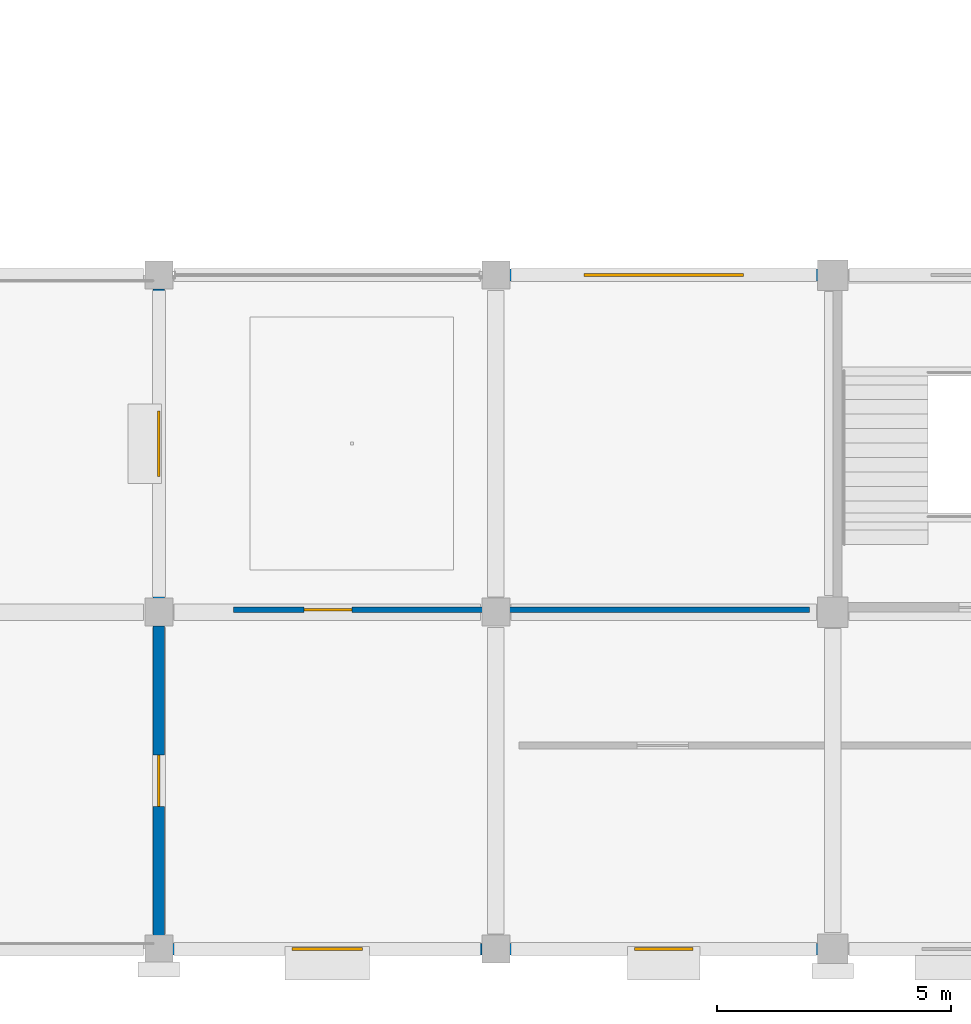
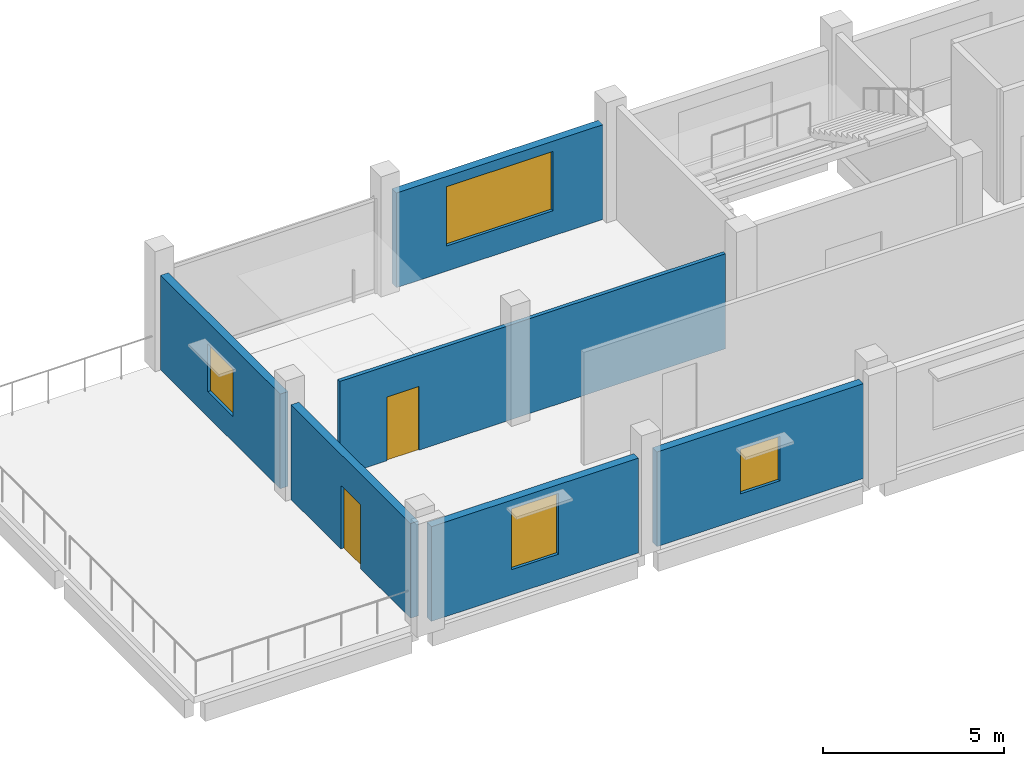
# One storey, part 68 of 91: 6 walls, 4 windows, 2 doors, 6 openings.
"""IFC4 building model written with IfcOpenShell, lengths in metres."""

from ifc_helpers import new_model, si_unit, direction, frame, frame_2d, origin, place, context, subcontext, project, spatial, rectangle, extrude, material, layer, layer_set, type_object, element, fill, save


model = new_model("IFC4")

# Units and contexts
model_context = context("Model", 3, precision=1e-05, world=origin(), true_north=direction((0.0, 1.0)))
body_context = subcontext(model_context, "Body", "Model", "MODEL_VIEW")
ifc_project = project(units=[si_unit("LENGTHUNIT", "METRE"), si_unit("AREAUNIT", "SQUARE_METRE"), si_unit("VOLUMEUNIT", "CUBIC_METRE"), si_unit("PLANEANGLEUNIT", "RADIAN"), si_unit("MASSUNIT", "GRAM", prefix="KILO")], contexts=[model_context])

# Site, building, storey
site_placement = place(None, origin())
site = spatial("IfcSite", under=ifc_project, at=site_placement, CompositionType="ELEMENT")
building_placement = place(site_placement, origin())
building = spatial("IfcBuilding", under=site, at=building_placement, Name="Kangsadwip Square Police Headquarters", CompositionType="ELEMENT")
storey_placement = place(building_placement, frame((0.0, 0.0, 13.5)))
storey = spatial("IfcBuildingStorey", under=building, at=storey_placement, Name="L03", CompositionType="ELEMENT", Elevation=13.5)

# Wall, opening, door
ifc_material_1 = material(Name="Fire-rated double gypsum board acoustic stud partition", Category="masonry")
ifc_layer_1 = layer(ifc_material_1, 0.1201171875)
ifc_layer_set_1 = layer_set([ifc_layer_1], Name="Fire-rated double gypsum board acoustic stud partition")
wall_type_1 = type_object("IfcWallType", Name="AcousticPartition120", PredefinedType="PARTITIONING", material=ifc_layer_set_1)
wall_1_placement = place(storey_placement, frame((116.800048828125, 28.85009765625, 0.0), z_axis=(0.0, 0.0, 1.0), x_axis=(1.0, 0.0, 0.0)))
wall_1 = element("IfcWall", 1, at=wall_1_placement, inside=storey, type_object=wall_type_1, Name="Interior Wall WI-L03-0828", PredefinedType="PARTITIONING", context=body_context, shape_type="SweptSolid", body=[
    extrude(rectangle(XDim=12.300048828125, YDim=0.1201171875, at=frame_2d((6.14990234375, 0.0))), origin(), (0.0, 0.0, 1.0), 3.199951171875),
])
opening_1_placement = place(wall_1_placement, frame((1.5029296875, 0.0, 0.0)))
opening_1 = element("IfcOpeningElement", 2, at=opening_1_placement, cuts=wall_1, Name="Opening FD-10C", PredefinedType="OPENING", context=body_context, shape_type="SweptSolid", body=[
    extrude(rectangle(XDim=1.02001953125, YDim=2.14990234375, at=frame_2d((0.510009765625, 1.074951171875))), frame((0.0, 0.070068359375, 0.0), z_axis=(0.0, -1.0, 0.0), x_axis=(1.0, 0.0, 0.0)), (0.0, 0.0, 1.0), 0.14013671875),
])
ifc_material_2 = material(Name="Insulated galvanized steel fire-rated door assembly", Category="steel")
door_type_1 = type_object("IfcDoorType", Name="LabSingleDoor1020x2150", OperationType="NOTDEFINED", PredefinedType="DOOR", material=ifc_material_2)
door_1_placement = place(opening_1_placement, origin())
door_1 = element("IfcDoor", 3, at=door_1_placement, inside=storey, type_object=door_type_1, Name="Interior Door ID-L03-0219", OperationType="SINGLE_SWING_RIGHT", OverallHeight=2.14990234375, OverallWidth=1.02001953125, PredefinedType="DOOR", context=body_context, shape_type="SweptSolid", body=[
    extrude(rectangle(XDim=1.02001953125, YDim=2.14990234375, at=frame_2d((0.510009765625, 1.074951171875))), frame((0.0, 0.02490234375, 0.0), z_axis=(0.0, -1.0, 0.0), x_axis=(1.0, 0.0, 0.0)), (0.0, 0.0, 1.0), 0.050048828125),
])
fill(opening_1, door_1)

# Wall, opening, window
ifc_material_3 = material(Name="Glazed architectural terracotta masonry rainscreen", Category="masonry")
ifc_layer_2 = layer(ifc_material_3, 0.25)
ifc_layer_set_2 = layer_set([ifc_layer_2], Name="Glazed architectural terracotta masonry rainscreen")
wall_type_2 = type_object("IfcWallType", Name="ChicagoTerracottaWall250", PredefinedType="SOLIDWALL", material=ifc_layer_set_2)
wall_2_placement = place(storey_placement, frame((115.4951171875, 21.60009765625, 0.0), z_axis=(0.0, 0.0, 1.0), x_axis=(1.0, 0.0, 0.0)))
wall_2 = element("IfcWall", 4, at=wall_2_placement, inside=storey, type_object=wall_type_2, Name="Exterior Wall WE-L03-362", PredefinedType="SOLIDWALL", context=body_context, shape_type="SweptSolid", body=[
    extrude(rectangle(XDim=6.60986328125, YDim=0.25, at=frame_2d((3.304931640625, 0.0))), origin(), (0.0, 0.0, 1.0), 3.195068359375),
])
opening_2_placement = place(wall_2_placement, frame((2.554931640625, 0.0, 0.85009765625)))
opening_2 = element("IfcOpeningElement", 5, at=opening_2_placement, cuts=wall_2, Name="Opening WN-12", PredefinedType="OPENING", context=body_context, shape_type="SweptSolid", body=[
    extrude(rectangle(XDim=1.5, YDim=2.050048828125, at=frame_2d((0.75, 1.02490234375))), frame((0.0, 0.135009765625, 0.0), z_axis=(0.0, -1.0, 0.0), x_axis=(1.0, 0.0, 0.0)), (0.0, 0.0, 1.0), 0.27001953125),
])
ifc_material_4 = material(Name="Double-glazed solar-control low-E safety glass", Category="glass")
window_type_1 = type_object("IfcWindowType", Name="DirectorateTallWin1500x2050", PartitioningType="SINGLE_PANEL", PredefinedType="WINDOW", material=ifc_material_4)
window_1_placement = place(opening_2_placement, origin())
window_1 = element("IfcWindow", 6, at=window_1_placement, inside=storey, type_object=window_type_1, Name="Window WN-L03-0215", OverallHeight=2.050048828125, OverallWidth=1.5, PartitioningType="SINGLE_PANEL", PredefinedType="WINDOW", context=body_context, shape_type="SweptSolid", body=[
    extrude(rectangle(XDim=1.5, YDim=2.050048828125, at=frame_2d((0.75, 1.02490234375))), frame((0.0, 0.030029296875, 0.0), z_axis=(0.0, -1.0, 0.0), x_axis=(1.0, 0.0, 0.0)), (0.0, 0.0, 1.0), 0.06005859375),
])
fill(opening_2, window_1)

wall_3_placement = place(storey_placement, frame((122.695068359375, 21.60009765625, 0.0), z_axis=(0.0, 0.0, 1.0), x_axis=(1.0, 0.0, 0.0)))
wall_3 = element("IfcWall", 7, at=wall_3_placement, inside=storey, type_object=wall_type_2, Name="Exterior Wall WE-L03-363", PredefinedType="SOLIDWALL", context=body_context, shape_type="SweptSolid", body=[
    extrude(rectangle(XDim=6.5849609375, YDim=0.25, at=frame_2d((3.29248046875, 0.0))), origin(), (0.0, 0.0, 1.0), 3.195068359375),
])
opening_3_placement = place(wall_3_placement, frame((2.66748046875, 0.0, 0.85009765625)))
opening_3 = element("IfcOpeningElement", 8, at=opening_3_placement, cuts=wall_3, Name="Opening WN-14", PredefinedType="OPENING", context=body_context, shape_type="SweptSolid", body=[
    extrude(rectangle(XDim=1.25, YDim=1.5, at=frame_2d((0.625, 0.75))), frame((0.0, 0.135009765625, 0.0), z_axis=(0.0, -1.0, 0.0), x_axis=(1.0, 0.0, 0.0)), (0.0, 0.0, 1.0), 0.27001953125),
])
ifc_material_5 = material(Name="Double-glazed solar-control low-E safety glass", Category="glass")
window_type_2 = type_object("IfcWindowType", Name="OfficeCasementWin1250x1500", PartitioningType="SINGLE_PANEL", PredefinedType="WINDOW", material=ifc_material_5)
window_2_placement = place(opening_3_placement, origin())
window_2 = element("IfcWindow", 9, at=window_2_placement, inside=storey, type_object=window_type_2, Name="Window WN-L03-0216", OverallHeight=1.5, OverallWidth=1.25, PartitioningType="SINGLE_PANEL", PredefinedType="WINDOW", context=body_context, shape_type="SweptSolid", body=[
    extrude(rectangle(XDim=1.25, YDim=1.5, at=frame_2d((0.625, 0.75))), frame((0.0, 0.030029296875, 0.0), z_axis=(0.0, -1.0, 0.0), x_axis=(1.0, 0.0, 0.0)), (0.0, 0.0, 1.0), 0.06005859375),
])
fill(opening_3, window_2)

wall_4_placement = place(storey_placement, frame((122.695068359375, 36.0, 0.0), z_axis=(0.0, 0.0, 1.0), x_axis=(1.0, 0.0, 0.0)))
wall_4 = element("IfcWall", 10, at=wall_4_placement, inside=storey, type_object=wall_type_2, Name="Exterior Wall WE-L03-372", PredefinedType="SOLIDWALL", context=body_context, shape_type="SweptSolid", body=[
    extrude(rectangle(XDim=6.5849609375, YDim=0.25, at=frame_2d((3.29248046875, 0.0))), origin(), (0.0, 0.0, 1.0), 3.195068359375),
])
opening_4_placement = place(wall_4_placement, frame((1.592529296875, 0.0, 0.85009765625)))
opening_4 = element("IfcOpeningElement", 11, at=opening_4_placement, cuts=wall_4, Name="Opening WN-02", PredefinedType="OPENING", context=body_context, shape_type="SweptSolid", body=[
    extrude(rectangle(XDim=3.39990234375, YDim=2.0, at=frame_2d((1.699951171875, 1.0))), frame((0.0, 0.135009765625, 0.0), z_axis=(0.0, -1.0, 0.0), x_axis=(1.0, 0.0, 0.0)), (0.0, 0.0, 1.0), 0.27001953125),
])
ifc_material_6 = material(Name="Double-glazed solar-control low-E safety glass", Category="glass")
window_type_3 = type_object("IfcWindowType", Name="ChicagoTripartiteWin3400x2000", PartitioningType="TRIPLE_PANEL_HORIZONTAL", PredefinedType="WINDOW", material=ifc_material_6)
window_3_placement = place(opening_4_placement, origin())
window_3 = element("IfcWindow", 12, at=window_3_placement, inside=storey, type_object=window_type_3, Name="Window WN-L03-0225", OverallHeight=2.0, OverallWidth=3.39990234375, PartitioningType="SINGLE_PANEL", PredefinedType="WINDOW", context=body_context, shape_type="SweptSolid", body=[
    extrude(rectangle(XDim=3.39990234375, YDim=2.0, at=frame_2d((1.699951171875, 1.0))), frame((0.0, 0.030029296875, 0.0), z_axis=(0.0, -1.0, 0.0), x_axis=(1.0, 0.0, 0.0)), (0.0, 0.0, 1.0), 0.06005859375),
])
fill(opening_4, window_3)

# Wall, opening, door
wall_5_placement = place(storey_placement, frame((115.199951171875, 21.89501953125, 0.0), z_axis=(0.0, 0.0, 1.0), x_axis=(0.0, 1.0, 0.0)))
wall_5 = element("IfcWall", 13, at=wall_5_placement, inside=storey, type_object=wall_type_2, Name="Exterior Wall WE-L03-401", PredefinedType="SOLIDWALL", context=body_context, shape_type="SweptSolid", body=[
    extrude(rectangle(XDim=6.60986328125, YDim=0.25, at=frame_2d((3.304931640625, 0.0))), origin(), (0.0, 0.0, 1.0), 3.195068359375),
])
opening_5_placement = place(wall_5_placement, frame((2.7548828125, 0.0, 0.0)))
opening_5 = element("IfcOpeningElement", 14, at=opening_5_placement, cuts=wall_5, Name="Opening TD-11", PredefinedType="OPENING", context=body_context, shape_type="SweptSolid", body=[
    extrude(rectangle(XDim=1.10009765625, YDim=2.14990234375, at=frame_2d((0.550048828125, 1.074951171875))), frame((0.0, 0.135009765625, 0.0), z_axis=(0.0, -1.0, 0.0), x_axis=(1.0, 0.0, 0.0)), (0.0, 0.0, 1.0), 0.27001953125),
])
ifc_material_7 = material(Name="Galvanized hollow-metal architectural steel door assembly", Category="steel")
door_type_2 = type_object("IfcDoorType", Name="TerraceAccessSingleDoor1100x2150", OperationType="NOTDEFINED", PredefinedType="DOOR", material=ifc_material_7)
door_2_placement = place(opening_5_placement, origin())
door_2 = element("IfcDoor", 15, at=door_2_placement, inside=storey, type_object=door_type_2, Name="Exterior Door ED-L03-021", OperationType="SINGLE_SWING_RIGHT", OverallHeight=2.14990234375, OverallWidth=1.10009765625, PredefinedType="DOOR", context=body_context, shape_type="SweptSolid", body=[
    extrude(rectangle(XDim=1.10009765625, YDim=2.14990234375, at=frame_2d((0.550048828125, 1.074951171875))), frame((0.0, 0.02490234375, 0.0), z_axis=(0.0, -1.0, 0.0), x_axis=(1.0, 0.0, 0.0)), (0.0, 0.0, 1.0), 0.050048828125),
])
fill(opening_5, door_2)

# Wall, opening, window
wall_6_placement = place(storey_placement, frame((115.199951171875, 29.094970703125, 0.0), z_axis=(0.0, 0.0, 1.0), x_axis=(0.0, 1.0, 0.0)))
wall_6 = element("IfcWall", 16, at=wall_6_placement, inside=storey, type_object=wall_type_2, Name="Exterior Wall WE-L03-402", PredefinedType="SOLIDWALL", context=body_context, shape_type="SweptSolid", body=[
    extrude(rectangle(XDim=6.610107421875, YDim=0.25, at=frame_2d((3.30517578125, 0.0))), origin(), (0.0, 0.0, 1.0), 3.195068359375),
])
opening_6_placement = place(wall_6_placement, frame((2.60498046875, 0.0, 0.85009765625)))
opening_6 = element("IfcOpeningElement", 17, at=opening_6_placement, cuts=wall_6, Name="Opening WN-13", PredefinedType="OPENING", context=body_context, shape_type="SweptSolid", body=[
    extrude(rectangle(XDim=1.39990234375, YDim=1.60009765625, at=frame_2d((0.699951171875, 0.800048828125))), frame((0.0, 0.135009765625, 0.0), z_axis=(0.0, -1.0, 0.0), x_axis=(1.0, 0.0, 0.0)), (0.0, 0.0, 1.0), 0.27001953125),
])
ifc_material_8 = material(Name="Double-glazed solar-control low-E safety glass", Category="glass")
window_type_4 = type_object("IfcWindowType", Name="OfficeCasementWin1400x1600", PartitioningType="SINGLE_PANEL", PredefinedType="WINDOW", material=ifc_material_8)
window_4_placement = place(opening_6_placement, origin())
window_4 = element("IfcWindow", 18, at=window_4_placement, inside=storey, type_object=window_type_4, Name="Window WN-L03-0253", OverallHeight=1.60009765625, OverallWidth=1.39990234375, PartitioningType="SINGLE_PANEL", PredefinedType="WINDOW", context=body_context, shape_type="SweptSolid", body=[
    extrude(rectangle(XDim=1.39990234375, YDim=1.60009765625, at=frame_2d((0.699951171875, 0.800048828125))), frame((0.0, 0.030029296875, 0.0), z_axis=(0.0, -1.0, 0.0), x_axis=(1.0, 0.0, 0.0)), (0.0, 0.0, 1.0), 0.06005859375),
])
fill(opening_6, window_4)

save(model, "model.ifc")
